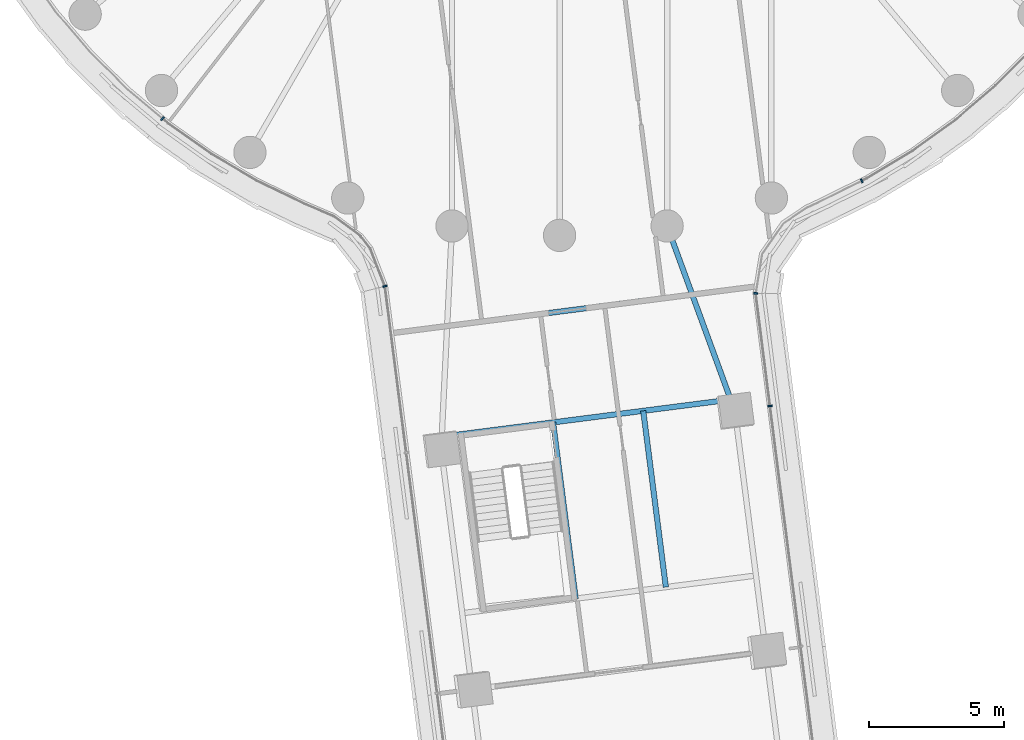
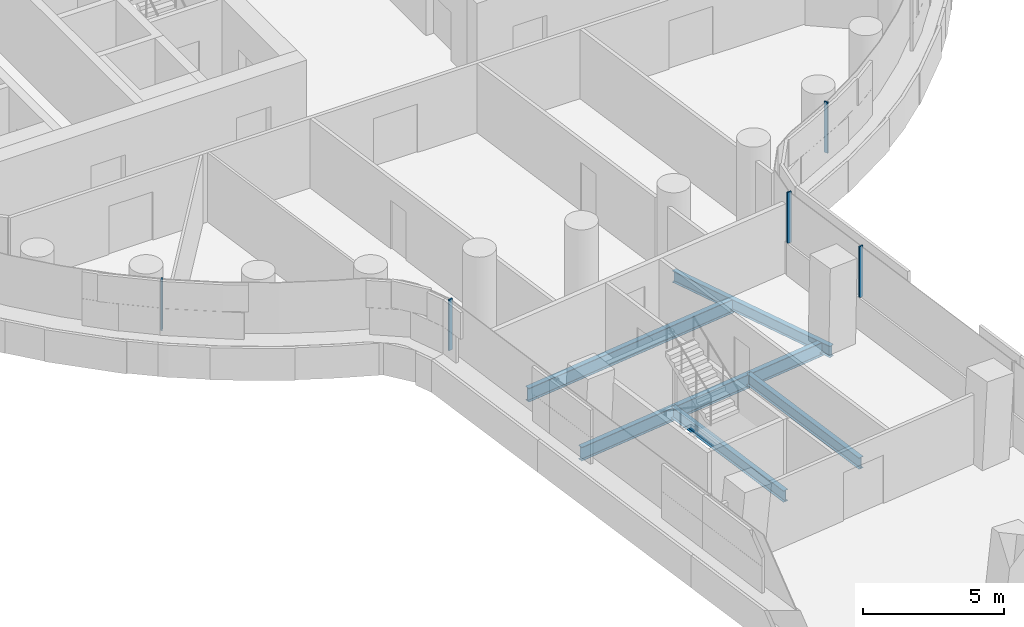
# One storey, part 3 of 31: 5 beams, 5 members, 4 elements without a shape of their own.
"""IFC4 building model written with IfcOpenShell, lengths in metres."""

from ifc_helpers import new_model, si_unit, direction, frame, origin, origin_2d, place, context, subcontext, project, spatial, rectangle, i_section, extrude, material, layer, layer_set, material_profile, profile_set, type_object, element, aggregate, save


model = new_model("IFC4")

# Units and contexts
model_context = context("Model", 3, precision=1e-05, world=origin(), true_north=direction((0.0, 1.0)))
body_context = subcontext(model_context, "Body", "Model", "MODEL_VIEW")
ifc_project = project(units=[si_unit("LENGTHUNIT", "METRE"), si_unit("AREAUNIT", "SQUARE_METRE"), si_unit("VOLUMEUNIT", "CUBIC_METRE"), si_unit("PLANEANGLEUNIT", "RADIAN"), si_unit("MASSUNIT", "GRAM", prefix="KILO")], contexts=[model_context])

# Site, building, storey
site_placement = place(None, origin())
site = spatial("IfcSite", under=ifc_project, at=site_placement, CompositionType="ELEMENT")
building_placement = place(site_placement, origin())
building = spatial("IfcBuilding", under=site, at=building_placement, Name="Tamarind Cross Interchange Tower", CompositionType="ELEMENT")
storey_placement = place(building_placement, frame((0.0, 0.0, 60.25)))
storey = spatial("IfcBuildingStorey", under=building, at=storey_placement, Name="L13", CompositionType="ELEMENT", Elevation=60.25)

# Beams
ifc_material_1 = material(Name="Steel Q355B", Category="steel")
ifc_material_profile_1 = material_profile(ifc_material_1, i_section(OverallWidth=0.198974609375, OverallDepth=0.49609375, WebThickness=0.009033203125, FlangeThickness=0.013916015625, FilletRadius=0.012939453125, at=origin_2d()), Name="HN 496x199x9x14")
ifc_profile_set_1 = profile_set([ifc_material_profile_1], Name="Steel Q355B")
beam_type_1 = type_object("IfcBeamType", Name="Composite beam HN 496x199x9x14 Q355B", PredefinedType="BEAM", material=ifc_profile_set_1)
beam_1_placement = place(storey_placement, frame((6.511962890625, -29.5322265625, -0.387939453125), z_axis=(-0.343630981805, 0.939104758982, 0.0), x_axis=(-0.939104758982, -0.343630981805, 0.0)))
element("IfcBeam", 1, at=beam_1_placement, inside=storey, type_object=beam_type_1, Name="Beam S-linkep", PredefinedType="BEAM", context=body_context, shape_type="SweptSolid", body=[
    extrude(i_section(OverallWidth=0.198974609375, OverallDepth=0.49609375, WebThickness=0.009033203125, FlangeThickness=0.013916015625, FilletRadius=0.012939453125, at=origin_2d()), origin(), (0.0, 0.0, 1.0), 7.327880859375),
])
beam_2_placement = place(storey_placement, frame((-0.240478515625, -29.9453125, -0.387939453125), z_axis=(0.127289360267, -0.991865625356, 0.0), x_axis=(0.991865625356, 0.127289360267, 0.0)))
element("IfcBeam", 2, at=beam_2_placement, inside=storey, type_object=beam_type_1, Name="Beam S-tr1", PredefinedType="BEAM", context=body_context, shape_type="SweptSolid", body=[
    extrude(i_section(OverallWidth=0.198974609375, OverallDepth=0.49609375, WebThickness=0.009033203125, FlangeThickness=0.013916015625, FilletRadius=0.012939453125, at=origin_2d()), origin(), (0.0, 0.0, 1.0), 6.599853515625),
])
beam_3_placement = place(storey_placement, frame((3.10693359375, -29.515625, -0.387939453125), z_axis=(0.12732108111, -0.991861554001, 0.0), x_axis=(0.991861554001, 0.12732108111, 0.0)))
element("IfcBeam", 3, at=beam_3_placement, inside=storey, type_object=beam_type_1, Name="Beam S-stripp", PredefinedType="BEAM", context=body_context, shape_type="SweptSolid", body=[
    extrude(i_section(OverallWidth=0.198974609375, OverallDepth=0.49609375, WebThickness=0.009033203125, FlangeThickness=0.013916015625, FilletRadius=0.012939453125, at=origin_2d()), origin(), (0.0, 0.0, 1.0), 6.60009765625),
])
ifc_material_profile_2 = material_profile(ifc_material_1, i_section(OverallWidth=0.199951171875, OverallDepth=0.60009765625, WebThickness=0.010986328125, FlangeThickness=0.01708984375, FilletRadius=0.012939453125, at=origin_2d()), Name="HN 600x200x11x17")
ifc_profile_set_2 = profile_set([ifc_material_profile_2], Name="Steel Q355B")
beam_type_2 = type_object("IfcBeamType", Name="Composite beam HN 600x200x11x17 Q355B", PredefinedType="BEAM", material=ifc_profile_set_2)
beam_4_placement = place(storey_placement, frame((-4.37646484375, -30.47607421875, -0.43994140625), z_axis=(0.991863114689, 0.127308922386, 0.0), x_axis=(-0.127308922386, 0.991863114689, 0.0)))
element("IfcBeam", 4, at=beam_4_placement, inside=storey, type_object=beam_type_2, Name="Beam S-x298", PredefinedType="BEAM", context=body_context, shape_type="SweptSolid", body=[
    extrude(i_section(OverallWidth=0.199951171875, OverallDepth=0.60009765625, WebThickness=0.010986328125, FlangeThickness=0.01708984375, FilletRadius=0.012939453125, at=origin_2d()), origin(), (0.0, 0.0, 1.0), 10.81787109375),
])
beam_5_placement = place(storey_placement, frame((-4.175537109375, -26.3671875, -0.43994140625), z_axis=(0.991863585253, 0.127305256174, 0.0), x_axis=(-0.127305256174, 0.991863585253, 0.0)))
element("IfcBeam", 5, at=beam_5_placement, inside=storey, type_object=beam_type_2, Name="Beam S-x258", PredefinedType="BEAM", context=body_context, shape_type="SweptSolid", body=[
    extrude(i_section(OverallWidth=0.199951171875, OverallDepth=0.60009765625, WebThickness=0.010986328125, FlangeThickness=0.01708984375, FilletRadius=0.012939453125, at=origin_2d()), origin(), (0.0, 0.0, 1.0), 9.176513671875),
])

# Curtain wall, member
ifc_material_2 = material(Name="Aluminium 6063-T6", Category="aluminium")
ifc_layer = layer(ifc_material_2, 0.159912109375)
ifc_layer_set = layer_set([ifc_layer], Name="Aluminium 6063-T6")
curtain_wall_type = type_object("IfcCurtainWallType", Name="Office curtain wall, 9.0 m bays", PredefinedType="NOTDEFINED", material=ifc_layer_set)
curtain_wall_1_placement = place(storey_placement, origin())
curtain_wall_1 = element("IfcCurtainWall", 6, at=curtain_wall_1_placement, inside=storey, type_object=curtain_wall_type, Name="CWS-L13-02", PredefinedType="NOTDEFINED")
ifc_material_profile_3 = material_profile(ifc_material_2, rectangle(XDim=0.06005859375, YDim=0.159912109375, at=origin_2d()), Name="Mullion CW1")
ifc_profile_set_3 = profile_set([ifc_material_profile_3], Name="Aluminium 6063-T6")
member_type = type_object("IfcMemberType", Name="Mullion CW1", PredefinedType="MULLION", material=ifc_profile_set_3)
member_1_placement = place(storey_placement, frame((-14.74365234375, -18.66552734375, 1.39990234375), z_axis=(0.0, 0.0, 1.0), x_axis=(0.765858396687, -0.643009266048, 0.0)))
member_1 = element("IfcMember", 7, at=member_1_placement, type_object=member_type, Name="CWM-L13-02-02", PredefinedType="MULLION", context=body_context, shape_type="SweptSolid", body=[
    extrude(rectangle(XDim=0.06005859375, YDim=0.159912109375, at=origin_2d()), origin(), (0.0, 0.0, 1.0), 2.210205078125),
])
aggregate(curtain_wall_1, [member_1])

curtain_wall_2_placement = place(storey_placement, origin())
curtain_wall_2 = element("IfcCurtainWall", 8, at=curtain_wall_2_placement, inside=storey, type_object=curtain_wall_type, Name="CWS-L13-03", PredefinedType="NOTDEFINED")
member_2_placement = place(storey_placement, frame((-6.485107421875, -24.8876953125, 1.39990234375), z_axis=(0.0, 0.0, 1.0), x_axis=(0.246709352126, -0.969089518865, 0.0)))
member_2 = element("IfcMember", 9, at=member_2_placement, type_object=member_type, Name="CWM-L13-03-00", PredefinedType="MULLION", context=body_context, shape_type="SweptSolid", body=[
    extrude(rectangle(XDim=0.06005859375, YDim=0.159912109375, at=origin_2d()), origin(), (0.0, 0.0, 1.0), 2.210205078125),
])
aggregate(curtain_wall_2, [member_2])

curtain_wall_3_placement = place(storey_placement, origin())
curtain_wall_3 = element("IfcCurtainWall", 10, at=curtain_wall_3_placement, inside=storey, type_object=curtain_wall_type, Name="CWS-L13-05", PredefinedType="NOTDEFINED")
member_3_placement = place(storey_placement, frame((7.81689453125, -29.3359375, 1.39990234375), z_axis=(0.0, 0.0, 1.0), x_axis=(-0.126160958881, 0.992009784455, 0.0)))
member_3 = element("IfcMember", 11, at=member_3_placement, type_object=member_type, Name="CWM-L13-05-02", PredefinedType="MULLION", context=body_context, shape_type="SweptSolid", body=[
    extrude(rectangle(XDim=0.06005859375, YDim=0.159912109375, at=origin_2d()), origin(), (0.0, 0.0, 1.0), 2.210205078125),
])
aggregate(curtain_wall_3, [member_3])

# Curtain wall, members
curtain_wall_4_placement = place(storey_placement, origin())
curtain_wall_4 = element("IfcCurtainWall", 12, at=curtain_wall_4_placement, inside=storey, type_object=curtain_wall_type, Name="CWS-L13-06", PredefinedType="NOTDEFINED")
member_4_placement = place(storey_placement, frame((7.28466796875, -25.150634765625, 1.39990234375), z_axis=(0.0, 0.0, 1.0), x_axis=(0.01719456239, 0.999852162584, 0.0)))
member_4 = element("IfcMember", 13, at=member_4_placement, type_object=member_type, Name="CWM-L13-06-00", PredefinedType="MULLION", context=body_context, shape_type="SweptSolid", body=[
    extrude(rectangle(XDim=0.06005859375, YDim=0.159912109375, at=origin_2d()), origin(), (0.0, 0.0, 1.0), 2.210205078125),
])
member_5_placement = place(storey_placement, frame((11.22216796875, -20.974365234375, 1.39990234375), z_axis=(0.0, 0.0, 1.0), x_axis=(0.896492548518, 0.443058811505, 0.0)))
member_5 = element("IfcMember", 14, at=member_5_placement, type_object=member_type, Name="CWM-L13-06-01", PredefinedType="MULLION", context=body_context, shape_type="SweptSolid", body=[
    extrude(rectangle(XDim=0.06005859375, YDim=0.159912109375, at=origin_2d()), origin(), (0.0, 0.0, 1.0), 2.210205078125),
])
aggregate(curtain_wall_4, [member_4, member_5])

save(model, "model.ifc")
